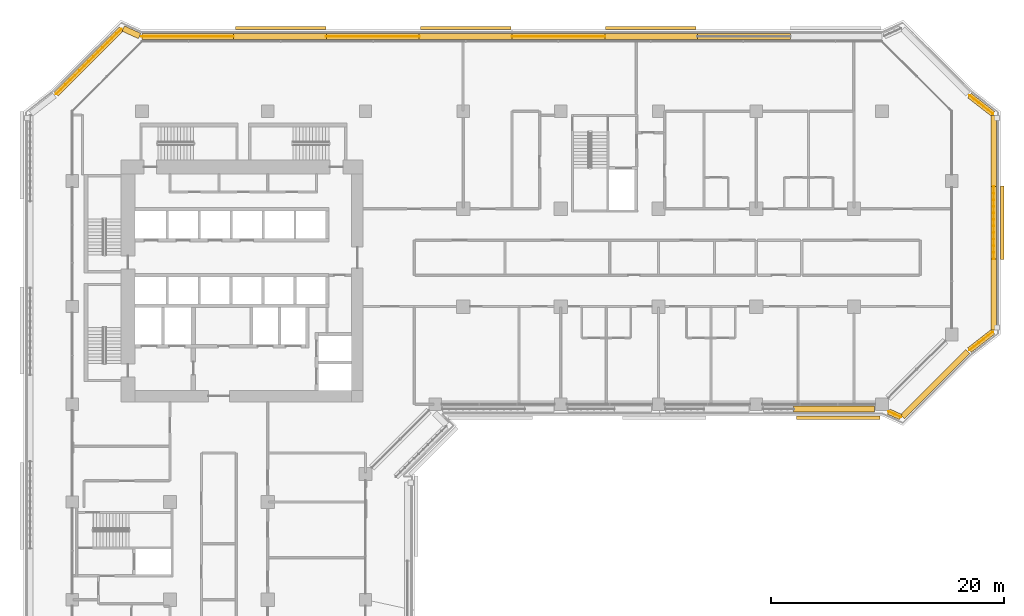
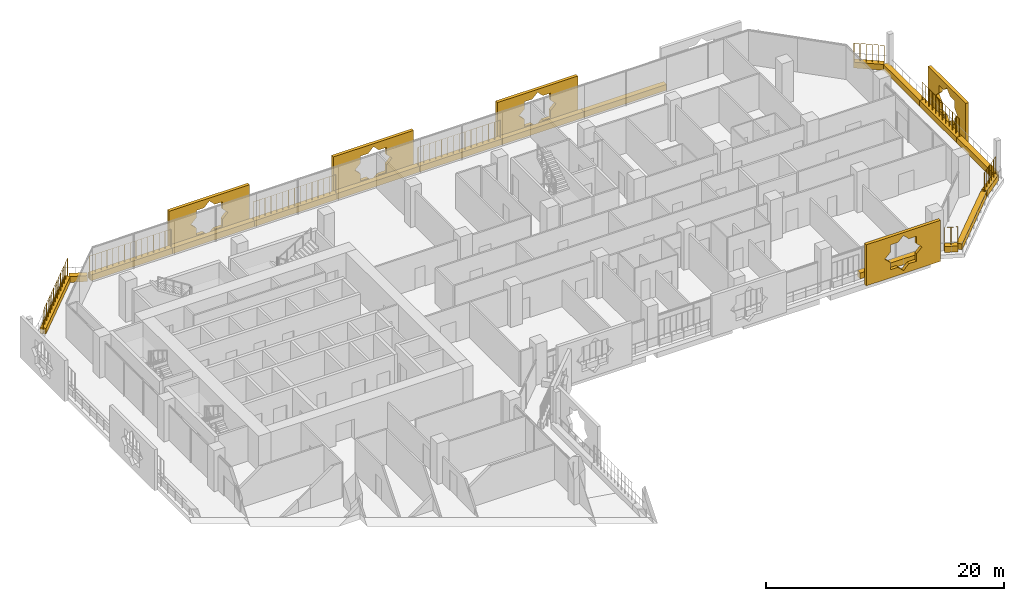
# One storey, part 24 of 25: 22 coverings, 8 railings.
"""IFC4 building model written with IfcOpenShell, lengths in metres."""

import ifcopenshell
import ifcopenshell.guid

model = None  # the IFC model being written
_history = None  # IfcOwnerHistory: only IFC2X3 demands one
_inside = {}  # id of a spatial element -> (the spatial element, [elements in it])
_under = {}  # id of a project, library or spatial element -> (it, [spatial elements below it])
_declared = {}  # id of a project -> (the project, [libraries it declares])
_typed = {}  # id of a type object -> (the type object, [elements of that type])
_made_of = {}  # id of a material, layer set ... -> (it, [elements and type objects made of it])


def new_model(schema):
    """Start an empty IFC model of exactly this schema.

    Asked for "IFC4X3", IfcOpenShell would pick the latest addendum, in which some entities
    have other attributes; the version numbers below select the first issue.
    IFC2X3 requires an IfcOwnerHistory on every rooted entity: one is made here for all.
    """
    global model, _history
    if schema == "IFC4X3":
        model = ifcopenshell.file(schema_version=(4, 3, 0, 0))
    else:
        model = ifcopenshell.file(schema=schema)
    _inside.clear()
    _under.clear()
    _declared.clear()
    _typed.clear()
    _made_of.clear()
    _history = None
    if model.schema == "IFC2X3":
        org = make("IfcOrganization", Name="unknown")
        user = make(
            "IfcPersonAndOrganization",
            ThePerson=make("IfcPerson", FamilyName="unknown"),
            TheOrganization=org,
        )
        app = make(
            "IfcApplication",
            ApplicationDeveloper=org,
            Version="unknown",
            ApplicationFullName="unknown",
            ApplicationIdentifier="unknown",
        )
        _history = make(
            "IfcOwnerHistory",
            OwningUser=user,
            OwningApplication=app,
            ChangeAction="ADDED",
            CreationDate=0,
        )
    return model


def make(cls, **values):
    """One entity of the class cls with the attributes given. An attribute that is None is left unset."""
    return model.create_entity(
        cls, **{name: value for name, value in values.items() if value is not None}
    )


def rooted(cls, **values):
    """An entity with a GlobalId (a new one), such as an element, a storey or a relation."""
    return make(cls, GlobalId=ifcopenshell.guid.new(), OwnerHistory=_history, **values)


def si_unit(unit_type, name, prefix=None):
    """IfcSIUnit, for example si_unit("LENGTHUNIT", "METRE", prefix="MILLI")."""
    return make("IfcSIUnit", UnitType=unit_type, Prefix=prefix, Name=name)


def assignment(units):
    """IfcUnitAssignment: the units of a project."""
    return None if units is None else make("IfcUnitAssignment", Units=units)


def point(xyz):
    """IfcCartesianPoint."""
    return None if xyz is None else make("IfcCartesianPoint", Coordinates=xyz)


def direction(xyz):
    """IfcDirection."""
    return None if xyz is None else make("IfcDirection", DirectionRatios=xyz)


def frame(location, z_axis=None, x_axis=None):
    """IfcAxis2Placement3D, a coordinate frame: its origin and axes. An axis left out is left unset."""
    return make(
        "IfcAxis2Placement3D",
        Location=point(location),
        Axis=direction(z_axis),
        RefDirection=direction(x_axis),
    )


def frame_2d(location, x_axis=None):
    """IfcAxis2Placement2D, a coordinate frame in the plane: its origin and x axis."""
    return make(
        "IfcAxis2Placement2D", Location=point(location), RefDirection=direction(x_axis)
    )


def origin():
    """The frame at (0, 0, 0) with its axes left unset."""
    return frame((0.0, 0.0, 0.0))


def origin_2d():
    """The frame at (0, 0) in the plane with its x axis left unset."""
    return frame_2d((0.0, 0.0))


def place(relative_to, where):
    """IfcLocalPlacement: puts the frame where relative to a parent placement (None: the world)."""
    return make(
        "IfcLocalPlacement", PlacementRelTo=relative_to, RelativePlacement=where
    )


def context(
    kind, dimensions, precision=None, world=None, true_north=None, identifier=None
):
    """IfcGeometricRepresentationContext, for example the 3D "Model" context."""
    return make(
        "IfcGeometricRepresentationContext",
        ContextIdentifier=identifier,
        ContextType=kind,
        CoordinateSpaceDimension=dimensions,
        Precision=precision,
        WorldCoordinateSystem=world,
        TrueNorth=true_north,
    )


def subcontext(parent, identifier, kind, view, scale=None):
    """IfcGeometricRepresentationSubContext, for example "Body" below "Model"."""
    return make(
        "IfcGeometricRepresentationSubContext",
        ContextIdentifier=identifier,
        ContextType=kind,
        ParentContext=parent,
        TargetScale=scale,
        TargetView=view,
    )


def project(units=None, contexts=None):
    """IfcProject with its units and contexts."""
    return rooted(
        "IfcProject",
        Name="project",
        RepresentationContexts=contexts,
        UnitsInContext=assignment(units),
    )


def spatial(cls, under=None, at=None, **own):
    """A site, building, storey or space (cls), placed at a placement, below another one or the project."""
    s = rooted(cls, ObjectPlacement=at, **own)
    if under is not None:
        _under.setdefault(under.id(), (under, []))[1].append(s)
    return s


def polyline(points):
    """IfcPolyline through the points."""
    return make("IfcPolyline", Points=[point(p) for p in points])


def profile(cls, at=None, kind="AREA", **sizes):
    """A parametric profile (cls). Its sizes go by their IFC names, for example OverallWidth=200.0."""
    return make(cls, ProfileType=kind, Position=at, **sizes)


def rectangle(**sizes):
    """IfcRectangleProfileDef."""
    return profile("IfcRectangleProfileDef", **sizes)


def circle(**sizes):
    """IfcCircleProfileDef."""
    return profile("IfcCircleProfileDef", **sizes)


def outline(outer, holes=None, kind="AREA"):
    """IfcArbitraryClosedProfileDef: a profile drawn as a closed curve; with holes, ...WithVoids."""
    if holes is None:
        return make("IfcArbitraryClosedProfileDef", ProfileType=kind, OuterCurve=outer)
    return make(
        "IfcArbitraryProfileDefWithVoids",
        ProfileType=kind,
        OuterCurve=outer,
        InnerCurves=holes,
    )


def extrude(swept, where, along, depth):
    """IfcExtrudedAreaSolid: the profile swept, set in the frame where, extruded along a direction by depth."""
    return make(
        "IfcExtrudedAreaSolid",
        SweptArea=swept,
        Position=where,
        ExtrudedDirection=direction(along),
        Depth=depth,
    )


def shape(context_of_items, identifier, shape_type, items):
    """IfcShapeRepresentation: the items that make up one representation, for example the "Body"."""
    return make(
        "IfcShapeRepresentation",
        ContextOfItems=context_of_items,
        RepresentationIdentifier=identifier,
        RepresentationType=shape_type,
        Items=items,
    )


def material(Name=None, Category=None):
    """IfcMaterial."""
    return make("IfcMaterial", Name=Name, Category=Category)


def material_profile(
    of_material, cross_section, Name=None, Category=None, Priority=None
):
    """IfcMaterialProfile: a cross section and its material."""
    return make(
        "IfcMaterialProfile",
        Name=Name,
        Material=of_material,
        Profile=cross_section,
        Priority=Priority,
        Category=Category,
    )


def profile_set(profiles, Name=None, composite=None):
    """IfcMaterialProfileSet."""
    return make(
        "IfcMaterialProfileSet",
        Name=Name,
        MaterialProfiles=profiles,
        CompositeProfile=composite,
    )


def made_of(thing, what):
    """Note that an element or type object is made of a material, layer set ...; save() writes the relation."""
    if what is not None:
        _made_of.setdefault(what.id(), (what, []))[1].append(thing)
    return thing


def type_object(cls, material=None, **own):
    """A type object (cls), such as IfcWallType, which elements share."""
    return made_of(rooted(cls, **own), material)


def element(
    cls,
    number,
    at=None,
    inside=None,
    cuts=None,
    type_object=None,
    material=None,
    context=None,
    identifier="Body",
    shape_type=None,
    held_by="IfcProductDefinitionShape",
    body=None,
    shapes=None,
    **own,
):
    """One element of the class cls, such as IfcWall. Its Tag is "e" and its number.

    at: its placement. inside: the storey or other place that contains it. cuts: it is an
    opening in that element (IfcRelVoidsElement). A single representation is given by context,
    identifier, shape_type and body (its items); several are given by shapes. held_by: the class
    of the entity that holds the representations. save() writes the other relations.
    """
    e = rooted(cls, Tag="e%d" % number, ObjectPlacement=at, **own)
    if body is not None:
        shapes = [shape(context, identifier, shape_type, body)]
    if shapes is not None:
        e.Representation = make(held_by, Representations=shapes)
    if inside is not None:
        _inside.setdefault(inside.id(), (inside, []))[1].append(e)
    if cuts is not None:
        rooted(
            "IfcRelVoidsElement", RelatingBuildingElement=cuts, RelatedOpeningElement=e
        )
    if type_object is not None:
        _typed.setdefault(type_object.id(), (type_object, []))[1].append(e)
    return made_of(e, material)


def aggregate(whole, parts):
    """IfcRelAggregates: a whole, such as a stair, and the parts it consists of."""
    return rooted("IfcRelAggregates", RelatingObject=whole, RelatedObjects=parts)


def save(model, path):
    """Write the relations noted so far, then the file.

    IfcRelAggregates (storeys below a building ...), IfcRelContainedInSpatialStructure (elements
    in a storey), IfcRelDefinesByType, IfcRelAssociatesMaterial and IfcRelDeclares: one each for
    every whole, place, type object, material and project.
    """
    for whole, parts in _under.values():
        aggregate(whole, parts)
    for where, things in _inside.values():
        rooted(
            "IfcRelContainedInSpatialStructure",
            RelatedElements=things,
            RelatingStructure=where,
        )
    for kind, things in _typed.values():
        rooted("IfcRelDefinesByType", RelatedObjects=things, RelatingType=kind)
    for what, things in _made_of.values():
        rooted("IfcRelAssociatesMaterial", RelatedObjects=things, RelatingMaterial=what)
    for by, libraries in _declared.values():
        rooted("IfcRelDeclares", RelatingContext=by, RelatedDefinitions=libraries)
    model.write(path)


model = new_model("IFC4")

# Units and contexts
model_context = context("Model", 3, precision=1e-05, world=origin(), true_north=direction((0.0, 1.0)))
body_context = subcontext(model_context, "Body", "Model", "MODEL_VIEW")
ifc_project = project(units=[si_unit("LENGTHUNIT", "METRE"), si_unit("AREAUNIT", "SQUARE_METRE"), si_unit("VOLUMEUNIT", "CUBIC_METRE"), si_unit("PLANEANGLEUNIT", "RADIAN"), si_unit("MASSUNIT", "GRAM", prefix="KILO")], contexts=[model_context])

# Site, building, storey
site_placement = place(None, origin())
site = spatial("IfcSite", under=ifc_project, at=site_placement, CompositionType="ELEMENT")
building_placement = place(site_placement, origin())
building = spatial("IfcBuilding", under=site, at=building_placement, Name="Kawkab Arch Medical Tower", CompositionType="ELEMENT")
storey_placement = place(building_placement, frame((0.0, 0.0, 145.0)))
storey = spatial("IfcBuildingStorey", under=building, at=storey_placement, Name="L33", CompositionType="ELEMENT", Elevation=145.0)

# Coverings
ifc_material_1 = material(Name="Bronze anodised aluminium mashrabiya panel, eight-point star pattern", Category="aluminium")
ifc_material_profile_1 = material_profile(ifc_material_1, outline(polyline([(-3.14990234375, -2.10009765625), (3.14990234375, -2.10009765625), (3.14990234375, 2.10009765625), (-3.14990234375, 2.10009765625), (-3.14990234375, -2.10009765625)]), holes=[polyline([(1.800048828125, 0.0), (1.272705078125, 0.527099609375), (1.272705078125, 1.272705078125), (0.527099609375, 1.272705078125), (0.0, 1.800048828125), (-0.527099609375, 1.272705078125), (-1.272705078125, 1.272705078125), (-1.272705078125, 0.527099609375), (-1.800048828125, 0.0), (-1.272705078125, -0.527099609375), (-1.272705078125, -1.272705078125), (-0.527099609375, -1.272705078125), (0.0, -1.800048828125), (0.527099609375, -1.272705078125), (1.272705078125, -1.272705078125), (1.272705078125, -0.527099609375), (1.800048828125, 0.0)])]), Name="Mashrabiya panel 6300x4200")
ifc_profile_set_1 = profile_set([ifc_material_profile_1], Name="Bronze anodised aluminium mashrabiya panel, eight-point star pattern")
covering_type_1 = type_object("IfcCoveringType", Name="Mashrabiya panel 6300 x 4200", PredefinedType="USERDEFINED", material=ifc_profile_set_1)
covering_1_placement = place(storey_placement, frame((79.800048828125, -9.60009765625, 1.699951171875), z_axis=(1.0, 0.0, 0.0), x_axis=(0.0, 1.0, 0.0)))
element("IfcCovering", 1, at=covering_1_placement, inside=storey, type_object=covering_type_1, Name="Mashrabiya panel L33.LOG-01-01.10", ObjectType="SCREEN", PredefinedType="USERDEFINED", context=body_context, shape_type="SweptSolid", body=[
    extrude(outline(polyline([(-3.14990234375, -2.10009765625), (3.14990234375, -2.10009765625), (3.14990234375, 2.10009765625), (-3.14990234375, 2.10009765625), (-3.14990234375, -2.10009765625)]), holes=[polyline([(1.800048828125, 0.0), (1.272705078125, 0.527099609375), (1.272705078125, 1.272705078125), (0.527099609375, 1.272705078125), (0.0, 1.800048828125), (-0.527099609375, 1.272705078125), (-1.272705078125, 1.272705078125), (-1.272705078125, 0.527099609375), (-1.800048828125, 0.0), (-1.272705078125, -0.527099609375), (-1.272705078125, -1.272705078125), (-0.527099609375, -1.272705078125), (0.0, -1.800048828125), (0.527099609375, -1.272705078125), (1.272705078125, -1.272705078125), (1.272705078125, -0.527099609375), (1.800048828125, 0.0)])]), origin(), (0.0, 0.0, 1.0), 0.300048828125),
])
ifc_material_2 = material(Name="Bronze anodised aluminium mashrabiya panel, eight-point star pattern", Category="aluminium")
ifc_material_profile_2 = material_profile(ifc_material_2, outline(polyline([(-3.60009765625, -2.10009765625), (3.60009765625, -2.10009765625), (3.60009765625, 2.10009765625), (-3.60009765625, 2.10009765625), (-3.60009765625, -2.10009765625)]), holes=[polyline([(1.800048828125, 0.0), (1.272705078125, 0.527099609375), (1.272705078125, 1.272705078125), (0.527099609375, 1.272705078125), (0.0, 1.800048828125), (-0.527099609375, 1.272705078125), (-1.272705078125, 1.272705078125), (-1.272705078125, 0.527099609375), (-1.800048828125, 0.0), (-1.272705078125, -0.527099609375), (-1.272705078125, -1.272705078125), (-0.527099609375, -1.272705078125), (0.0, -1.800048828125), (0.527099609375, -1.272705078125), (1.272705078125, -1.272705078125), (1.272705078125, -0.527099609375), (1.800048828125, 0.0)])]), Name="Mashrabiya panel 7200x4200")
ifc_profile_set_2 = profile_set([ifc_material_profile_2], Name="Bronze anodised aluminium mashrabiya panel, eight-point star pattern")
covering_type_2 = type_object("IfcCoveringType", Name="Mashrabiya panel 7200 x 4200", PredefinedType="USERDEFINED", material=ifc_profile_set_2)
covering_2_placement = place(storey_placement, frame((65.840087890625, -26.199951171875, 1.699951171875), z_axis=(0.0, -1.0, 0.0), x_axis=(1.0, 0.0, 0.0)))
element("IfcCovering", 2, at=covering_2_placement, inside=storey, type_object=covering_type_2, Name="Mashrabiya panel L33.LOG-01-01.11", ObjectType="SCREEN", PredefinedType="USERDEFINED", context=body_context, shape_type="SweptSolid", body=[
    extrude(outline(polyline([(-3.60009765625, -2.10009765625), (3.60009765625, -2.10009765625), (3.60009765625, 2.10009765625), (-3.60009765625, 2.10009765625), (-3.60009765625, -2.10009765625)]), holes=[polyline([(1.800048828125, 0.0), (1.272705078125, 0.527099609375), (1.272705078125, 1.272705078125), (0.527099609375, 1.272705078125), (0.0, 1.800048828125), (-0.527099609375, 1.272705078125), (-1.272705078125, 1.272705078125), (-1.272705078125, 0.527099609375), (-1.800048828125, 0.0), (-1.272705078125, -0.527099609375), (-1.272705078125, -1.272705078125), (-0.527099609375, -1.272705078125), (0.0, -1.800048828125), (0.527099609375, -1.272705078125), (1.272705078125, -1.272705078125), (1.272705078125, -0.527099609375), (1.800048828125, 0.0)])]), origin(), (0.0, 0.0, 1.0), 0.300048828125),
])
ifc_material_3 = material(Name="Bronze anodised aluminium mashrabiya panel, eight-point star pattern", Category="aluminium")
ifc_material_profile_3 = material_profile(ifc_material_3, outline(polyline([(-3.89990234375, -2.10009765625), (3.89990234375, -2.10009765625), (3.89990234375, 2.10009765625), (-3.89990234375, 2.10009765625), (-3.89990234375, -2.10009765625)]), holes=[polyline([(1.800048828125, 0.0), (1.272705078125, 0.527099609375), (1.272705078125, 1.272705078125), (0.527099609375, 1.272705078125), (0.0, 1.800048828125), (-0.527099609375, 1.272705078125), (-1.272705078125, 1.272705078125), (-1.272705078125, 0.527099609375), (-1.800048828125, 0.0), (-1.272705078125, -0.527099609375), (-1.272705078125, -1.272705078125), (-0.527099609375, -1.272705078125), (0.0, -1.800048828125), (0.527099609375, -1.272705078125), (1.272705078125, -1.272705078125), (1.272705078125, -0.527099609375), (1.800048828125, 0.0)])]), Name="Mashrabiya panel 7800x4200")
ifc_profile_set_3 = profile_set([ifc_material_profile_3], Name="Bronze anodised aluminium mashrabiya panel, eight-point star pattern")
covering_type_3 = type_object("IfcCoveringType", Name="Mashrabiya panel 7800 x 4200", PredefinedType="USERDEFINED", material=ifc_profile_set_3)
for number, where, z_axis, x_axis, name in (
    (3, (17.923583984375, 7.0, 1.699951171875), (0.0, 1.0, 0.0), (-1.0, 0.0, 0.0), "Mashrabiya panel L33.LOG-01-01.6"),
    (4, (33.82470703125, 7.0, 1.699951171875), (0.0, 1.0, 0.0), (-1.0, 0.0, 0.0), "Mashrabiya panel L33.LOG-01-01.7"),
    (5, (49.725830078125, 7.0, 1.699951171875), (0.0, 1.0, 0.0), (-1.0, 0.0, 0.0), "Mashrabiya panel L33.LOG-01-01.8"),
):
    element("IfcCovering", number, at=place(storey_placement, frame(where, z_axis=z_axis, x_axis=x_axis)), inside=storey, type_object=covering_type_3, Name=name, ObjectType="SCREEN", PredefinedType="USERDEFINED", context=body_context, shape_type="SweptSolid", body=[
        extrude(outline(polyline([(-3.89990234375, -2.10009765625), (3.89990234375, -2.10009765625), (3.89990234375, 2.10009765625), (-3.89990234375, 2.10009765625), (-3.89990234375, -2.10009765625)]), holes=[polyline([(1.800048828125, 0.0), (1.272705078125, 0.527099609375), (1.272705078125, 1.272705078125), (0.527099609375, 1.272705078125), (0.0, 1.800048828125), (-0.527099609375, 1.272705078125), (-1.272705078125, 1.272705078125), (-1.272705078125, 0.527099609375), (-1.800048828125, 0.0), (-1.272705078125, -0.527099609375), (-1.272705078125, -1.272705078125), (-0.527099609375, -1.272705078125), (0.0, -1.800048828125), (0.527099609375, -1.272705078125), (1.272705078125, -1.272705078125), (1.272705078125, -0.527099609375), (1.800048828125, 0.0)])]), origin(), (0.0, 0.0, 1.0), 0.300048828125),
    ])
ifc_material_4 = material(Name="Planting soil in a precast trough", Category="concrete")
ifc_material_profile_4 = material_profile(ifc_material_4, rectangle(XDim=0.5, YDim=0.60009765625, at=origin_2d()), Name="Trough 500x600")
ifc_profile_set_4 = profile_set([ifc_material_profile_4], Name="Planting soil in a precast trough")
covering_type_4 = type_object("IfcCoveringType", Name="Planter trough 500 x 600", PredefinedType="USERDEFINED", material=ifc_profile_set_4)
covering_3_placement = place(storey_placement, frame((-1.383056640625, 1.472900390625, 0.300048828125), z_axis=(0.707106781187, 0.707106781187, 0.0), x_axis=(-0.707106781187, 0.707106781187, 0.0)))
element("IfcCovering", 6, at=covering_3_placement, inside=storey, type_object=covering_type_4, Name="Planter L33.LOG-01-01.15", ObjectType="PLANTER", PredefinedType="USERDEFINED", context=body_context, shape_type="SweptSolid", body=[
    extrude(rectangle(XDim=0.5, YDim=0.60009765625, at=origin_2d()), origin(), (0.0, 0.0, 1.0), 7.919677734375),
])
covering_4_placement = place(storey_placement, frame((4.37890625, 7.10205078125, 0.300048828125), z_axis=(0.909655525109, -0.415363486165, 0.0), x_axis=(0.415363486165, 0.909655525109, 0.0)))
element("IfcCovering", 7, at=covering_4_placement, inside=storey, type_object=covering_type_4, Name="Planter L33.LOG-01-01.16", ObjectType="PLANTER", PredefinedType="USERDEFINED", context=body_context, shape_type="SweptSolid", body=[
    extrude(rectangle(XDim=0.5, YDim=0.60009765625, at=origin_2d()), origin(), (0.0, 0.0, 1.0), 1.54345703125),
])
covering_5_placement = place(storey_placement, frame((5.97412109375, 6.419921875, 0.300048828125), z_axis=(1.0, 0.0, 0.0), x_axis=(0.0, 1.0, 0.0)))
element("IfcCovering", 8, at=covering_5_placement, inside=storey, type_object=covering_type_4, Name="Planter L33.LOG-01-01.17", ObjectType="PLANTER", PredefinedType="USERDEFINED", context=body_context, shape_type="SweptSolid", body=[
    extrude(rectangle(XDim=0.5, YDim=0.60009765625, at=origin_2d()), origin(), (0.0, 0.0, 1.0), 7.8818359375),
])
covering_6_placement = place(storey_placement, frame((13.85595703125, 6.419921875, 0.300048828125), z_axis=(1.0, 0.0, 0.0), x_axis=(0.0, 1.0, 0.0)))
element("IfcCovering", 9, at=covering_6_placement, inside=storey, type_object=covering_type_4, Name="Planter L33.LOG-01-01.18", ObjectType="PLANTER", PredefinedType="USERDEFINED", context=body_context, shape_type="SweptSolid", body=[
    extrude(rectangle(XDim=0.5, YDim=0.60009765625, at=origin_2d()), origin(), (0.0, 0.0, 1.0), 7.98095703125),
])
covering_7_placement = place(storey_placement, frame((21.8369140625, 6.419921875, 0.300048828125), z_axis=(1.0, 0.0, 0.0), x_axis=(0.0, 1.0, 0.0)))
element("IfcCovering", 10, at=covering_7_placement, inside=storey, type_object=covering_type_4, Name="Planter L33.LOG-01-01.19", ObjectType="PLANTER", PredefinedType="USERDEFINED", context=body_context, shape_type="SweptSolid", body=[
    extrude(rectangle(XDim=0.5, YDim=0.60009765625, at=origin_2d()), origin(), (0.0, 0.0, 1.0), 7.982177734375),
])
for number, where, z_axis, x_axis, name in (
    (11, (29.819091796875, 6.419921875, 0.300048828125), (1.0, 0.0, 0.0), (0.0, 1.0, 0.0), "Planter L33.LOG-01-01.20"),
    (12, (37.800048828125, 6.419921875, 0.300048828125), (1.0, 0.0, 0.0), (0.0, 1.0, 0.0), "Planter L33.LOG-01-01.21"),
):
    element("IfcCovering", number, at=place(storey_placement, frame(where, z_axis=z_axis, x_axis=x_axis)), inside=storey, type_object=covering_type_4, Name=name, ObjectType="PLANTER", PredefinedType="USERDEFINED", context=body_context, shape_type="SweptSolid", body=[
        extrude(rectangle(XDim=0.5, YDim=0.60009765625, at=origin_2d()), origin(), (0.0, 0.0, 1.0), 7.98095703125),
    ])
covering_8_placement = place(storey_placement, frame((45.781005859375, 6.419921875, 0.300048828125), z_axis=(1.0, 0.0, 0.0), x_axis=(0.0, 1.0, 0.0)))
element("IfcCovering", 13, at=covering_8_placement, inside=storey, type_object=covering_type_4, Name="Planter L33.LOG-01-01.22", ObjectType="PLANTER", PredefinedType="USERDEFINED", context=body_context, shape_type="SweptSolid", body=[
    extrude(rectangle(XDim=0.5, YDim=0.60009765625, at=origin_2d()), origin(), (0.0, 0.0, 1.0), 7.98193359375),
])
covering_9_placement = place(storey_placement, frame((53.762939453125, 6.419921875, 0.300048828125), z_axis=(1.0, 0.0, 0.0), x_axis=(0.0, 1.0, 0.0)))
element("IfcCovering", 14, at=covering_9_placement, inside=storey, type_object=covering_type_4, Name="Planter L33.LOG-01-01.23", ObjectType="PLANTER", PredefinedType="USERDEFINED", context=body_context, shape_type="SweptSolid", body=[
    extrude(rectangle(XDim=0.5, YDim=0.60009765625, at=origin_2d()), origin(), (0.0, 0.0, 1.0), 7.98095703125),
])
covering_10_placement = place(storey_placement, frame((77.132080078125, 1.341064453125, 0.300048828125), z_axis=(0.789274742246, -0.61404021143, 0.0), x_axis=(0.61404021143, 0.789274742246, 0.0)))
element("IfcCovering", 15, at=covering_10_placement, inside=storey, type_object=covering_type_4, Name="Planter L33.LOG-01-01.27", ObjectType="PLANTER", PredefinedType="USERDEFINED", context=body_context, shape_type="SweptSolid", body=[
    extrude(rectangle(XDim=0.5, YDim=0.60009765625, at=origin_2d()), origin(), (0.0, 0.0, 1.0), 2.54541015625),
])
covering_11_placement = place(storey_placement, frame((79.219970703125, -0.384033203125, 0.300048828125), z_axis=(0.0, -1.0, 0.0), x_axis=(1.0, 0.0, 0.0)))
element("IfcCovering", 16, at=covering_11_placement, inside=storey, type_object=covering_type_4, Name="Planter L33.LOG-01-01.28", ObjectType="PLANTER", PredefinedType="USERDEFINED", context=body_context, shape_type="SweptSolid", body=[
    extrude(rectangle(XDim=0.5, YDim=0.60009765625, at=origin_2d()), origin(), (0.0, 0.0, 1.0), 6.111083984375),
])
covering_12_placement = place(storey_placement, frame((79.219970703125, -6.4951171875, 0.300048828125), z_axis=(0.0, -1.0, 0.0), x_axis=(1.0, 0.0, 0.0)))
element("IfcCovering", 17, at=covering_12_placement, inside=storey, type_object=covering_type_4, Name="Planter L33.LOG-01-01.29", ObjectType="PLANTER", PredefinedType="USERDEFINED", context=body_context, shape_type="SweptSolid", body=[
    extrude(rectangle(XDim=0.5, YDim=0.60009765625, at=origin_2d()), origin(), (0.0, 0.0, 1.0), 6.2099609375),
])
covering_13_placement = place(storey_placement, frame((79.219970703125, -12.705078125, 0.300048828125), z_axis=(0.0, -1.0, 0.0), x_axis=(1.0, 0.0, 0.0)))
element("IfcCovering", 18, at=covering_13_placement, inside=storey, type_object=covering_type_4, Name="Planter L33.LOG-01-01.30", ObjectType="PLANTER", PredefinedType="USERDEFINED", context=body_context, shape_type="SweptSolid", body=[
    extrude(rectangle(XDim=0.5, YDim=0.60009765625, at=origin_2d()), origin(), (0.0, 0.0, 1.0), 6.11083984375),
])
covering_14_placement = place(storey_placement, frame((79.14111328125, -18.97802734375, 0.300048828125), z_axis=(-0.789274742246, -0.61404021143, 0.0), x_axis=(0.61404021143, -0.789274742246, 0.0)))
element("IfcCovering", 19, at=covering_14_placement, inside=storey, type_object=covering_type_4, Name="Planter L33.LOG-01-01.31", ObjectType="PLANTER", PredefinedType="USERDEFINED", context=body_context, shape_type="SweptSolid", body=[
    extrude(rectangle(XDim=0.5, YDim=0.60009765625, at=origin_2d()), origin(), (0.0, 0.0, 1.0), 2.54541015625),
])
covering_15_placement = place(storey_placement, frame((76.98291015625, -20.673095703125, 0.300048828125), z_axis=(-0.707106781187, -0.707106781187, 0.0), x_axis=(0.707106781187, -0.707106781187, 0.0)))
element("IfcCovering", 20, at=covering_15_placement, inside=storey, type_object=covering_type_4, Name="Planter L33.LOG-01-01.32", ObjectType="PLANTER", PredefinedType="USERDEFINED", context=body_context, shape_type="SweptSolid", body=[
    extrude(rectangle(XDim=0.5, YDim=0.60009765625, at=origin_2d()), origin(), (0.0, 0.0, 1.0), 7.91943359375),
])
covering_16_placement = place(storey_placement, frame((71.220947265625, -26.302001953125, 0.300048828125), z_axis=(-0.90986596287, 0.414902313335, 0.0), x_axis=(-0.414902313335, -0.90986596287, 0.0)))
element("IfcCovering", 21, at=covering_16_placement, inside=storey, type_object=covering_type_4, Name="Planter L33.LOG-01-01.33", ObjectType="PLANTER", PredefinedType="USERDEFINED", context=body_context, shape_type="SweptSolid", body=[
    extrude(rectangle(XDim=0.5, YDim=0.60009765625, at=origin_2d()), origin(), (0.0, 0.0, 1.0), 1.137451171875),
])
covering_17_placement = place(storey_placement, frame((68.969970703125, -25.6201171875, 0.300048828125), z_axis=(-1.0, 0.0, 0.0), x_axis=(0.0, -1.0, 0.0)))
element("IfcCovering", 22, at=covering_17_placement, inside=storey, type_object=covering_type_4, Name="Planter L33.LOG-01-01.34", ObjectType="PLANTER", PredefinedType="USERDEFINED", context=body_context, shape_type="SweptSolid", body=[
    extrude(rectangle(XDim=0.5, YDim=0.60009765625, at=origin_2d()), origin(), (0.0, 0.0, 1.0), 6.951904296875),
])

# Railings
ifc_material_5 = material(Name="Bronze anodised aluminium trellis for climbing plants", Category="aluminium")
railing_type = type_object("IfcRailingType", Name="Planting trellis 2400", PredefinedType="USERDEFINED", material=ifc_material_5)
railing_1_placement = place(storey_placement, frame((-1.383056640625, 1.472900390625, 0.0)))
element("IfcRailing", 23, at=railing_1_placement, inside=storey, type_object=railing_type, Name="Planting trellis L33.LOG-01-01.15", ObjectType="TRELLIS", PredefinedType="USERDEFINED", context=body_context, shape_type="SweptSolid", body=[
    extrude(circle(Radius=0.01513671875, at=origin_2d()), frame((0.0, 0.0, 2.384765625), z_axis=(0.707106781187, 0.707106781187, 0.0), x_axis=(-0.707106781187, 0.707106781187, 0.0)), (0.0, 0.0, 1.0), 7.919677734375),
    extrude(circle(Radius=0.030029296875, at=origin_2d()), origin(), (0.0, 0.0, 1.0), 2.369873046875),
    extrude(circle(Radius=0.030029296875, at=origin_2d()), frame((0.39990234375, 0.39990234375, 0.0)), (0.0, 0.0, 1.0), 2.369873046875),
    extrude(circle(Radius=0.030029296875, at=origin_2d()), frame((0.800048828125, 0.800048828125, 0.0)), (0.0, 0.0, 1.0), 2.369873046875),
    extrude(circle(Radius=0.030029296875, at=origin_2d()), frame((1.199951171875, 1.199951171875, 0.0)), (0.0, 0.0, 1.0), 2.369873046875),
    extrude(circle(Radius=0.030029296875, at=origin_2d()), frame((1.60009765625, 1.60009765625, 0.0)), (0.0, 0.0, 1.0), 2.369873046875),
    extrude(circle(Radius=0.030029296875, at=origin_2d()), frame((2.0, 2.0, 0.0)), (0.0, 0.0, 1.0), 2.369873046875),
    extrude(circle(Radius=0.030029296875, at=origin_2d()), frame((2.400146484375, 2.400146484375, 0.0)), (0.0, 0.0, 1.0), 2.369873046875),
    extrude(circle(Radius=0.030029296875, at=origin_2d()), frame((2.800048828125, 2.800048828125, 0.0)), (0.0, 0.0, 1.0), 2.369873046875),
    extrude(circle(Radius=0.030029296875, at=origin_2d()), frame((3.199951171875, 3.199951171875, 0.0)), (0.0, 0.0, 1.0), 2.369873046875),
    extrude(circle(Radius=0.030029296875, at=origin_2d()), frame((3.60009765625, 3.60009765625, 0.0)), (0.0, 0.0, 1.0), 2.369873046875),
    extrude(circle(Radius=0.030029296875, at=origin_2d()), frame((4.0, 4.0, 0.0)), (0.0, 0.0, 1.0), 2.369873046875),
    extrude(circle(Radius=0.030029296875, at=origin_2d()), frame((4.400146484375, 4.400146484375, 0.0)), (0.0, 0.0, 1.0), 2.369873046875),
    extrude(circle(Radius=0.030029296875, at=origin_2d()), frame((4.800048828125, 4.800048828125, 0.0)), (0.0, 0.0, 1.0), 2.369873046875),
    extrude(circle(Radius=0.030029296875, at=origin_2d()), frame((5.2001953125, 5.2001953125, 0.0)), (0.0, 0.0, 1.0), 2.369873046875),
    extrude(circle(Radius=0.030029296875, at=origin_2d()), frame((5.60009765625, 5.60009765625, 0.0)), (0.0, 0.0, 1.0), 2.369873046875),
])
railing_2_placement = place(storey_placement, frame((5.97412109375, 6.419921875, 0.0)))
element("IfcRailing", 24, at=railing_2_placement, inside=storey, type_object=railing_type, Name="Planting trellis L33.LOG-01-01.17", ObjectType="TRELLIS", PredefinedType="USERDEFINED", context=body_context, shape_type="SweptSolid", body=[
    extrude(circle(Radius=0.01513671875, at=origin_2d()), frame((0.0, 0.0, 2.384765625), z_axis=(1.0, 0.0, 0.0), x_axis=(0.0, 1.0, 0.0)), (0.0, 0.0, 1.0), 7.8818359375),
    extrude(circle(Radius=0.030029296875, at=origin_2d()), origin(), (0.0, 0.0, 1.0), 2.369873046875),
    extrude(circle(Radius=0.030029296875, at=origin_2d()), frame((0.56298828125, 0.0, 0.0)), (0.0, 0.0, 1.0), 2.369873046875),
    extrude(circle(Radius=0.030029296875, at=origin_2d()), frame((1.1259765625, 0.0, 0.0)), (0.0, 0.0, 1.0), 2.369873046875),
    extrude(circle(Radius=0.030029296875, at=origin_2d()), frame((1.68896484375, 0.0, 0.0)), (0.0, 0.0, 1.0), 2.369873046875),
    extrude(circle(Radius=0.030029296875, at=origin_2d()), frame((2.251953125, 0.0, 0.0)), (0.0, 0.0, 1.0), 2.369873046875),
    extrude(circle(Radius=0.030029296875, at=origin_2d()), frame((2.81494140625, 0.0, 0.0)), (0.0, 0.0, 1.0), 2.369873046875),
    extrude(circle(Radius=0.030029296875, at=origin_2d()), frame((3.3779296875, 0.0, 0.0)), (0.0, 0.0, 1.0), 2.369873046875),
    extrude(circle(Radius=0.030029296875, at=origin_2d()), frame((3.94091796875, 0.0, 0.0)), (0.0, 0.0, 1.0), 2.369873046875),
    extrude(circle(Radius=0.030029296875, at=origin_2d()), frame((4.50390625, 0.0, 0.0)), (0.0, 0.0, 1.0), 2.369873046875),
    extrude(circle(Radius=0.030029296875, at=origin_2d()), frame((5.06689453125, 0.0, 0.0)), (0.0, 0.0, 1.0), 2.369873046875),
    extrude(circle(Radius=0.030029296875, at=origin_2d()), frame((5.6298828125, 0.0, 0.0)), (0.0, 0.0, 1.0), 2.369873046875),
    extrude(circle(Radius=0.030029296875, at=origin_2d()), frame((6.19287109375, 0.0, 0.0)), (0.0, 0.0, 1.0), 2.369873046875),
    extrude(circle(Radius=0.030029296875, at=origin_2d()), frame((6.755859375, 0.0, 0.0)), (0.0, 0.0, 1.0), 2.369873046875),
    extrude(circle(Radius=0.030029296875, at=origin_2d()), frame((7.31884765625, 0.0, 0.0)), (0.0, 0.0, 1.0), 2.369873046875),
    extrude(circle(Radius=0.030029296875, at=origin_2d()), frame((7.8818359375, 0.0, 0.0)), (0.0, 0.0, 1.0), 2.369873046875),
])
railing_3_placement = place(storey_placement, frame((21.8369140625, 6.419921875, 0.0)))
element("IfcRailing", 25, at=railing_3_placement, inside=storey, type_object=railing_type, Name="Planting trellis L33.LOG-01-01.19", ObjectType="TRELLIS", PredefinedType="USERDEFINED", context=body_context, shape_type="SweptSolid", body=[
    extrude(circle(Radius=0.01513671875, at=origin_2d()), frame((0.0, 0.0, 2.384765625), z_axis=(1.0, 0.0, 0.0), x_axis=(0.0, 1.0, 0.0)), (0.0, 0.0, 1.0), 7.982177734375),
    extrude(circle(Radius=0.030029296875, at=origin_2d()), origin(), (0.0, 0.0, 1.0), 2.369873046875),
    extrude(circle(Radius=0.030029296875, at=origin_2d()), frame((0.570068359375, 0.0, 0.0)), (0.0, 0.0, 1.0), 2.369873046875),
    extrude(circle(Radius=0.030029296875, at=origin_2d()), frame((1.140380859375, 0.0, 0.0)), (0.0, 0.0, 1.0), 2.369873046875),
    extrude(circle(Radius=0.030029296875, at=origin_2d()), frame((1.71044921875, 0.0, 0.0)), (0.0, 0.0, 1.0), 2.369873046875),
    extrude(circle(Radius=0.030029296875, at=origin_2d()), frame((2.280517578125, 0.0, 0.0)), (0.0, 0.0, 1.0), 2.369873046875),
    extrude(circle(Radius=0.030029296875, at=origin_2d()), frame((2.850830078125, 0.0, 0.0)), (0.0, 0.0, 1.0), 2.369873046875),
    extrude(circle(Radius=0.030029296875, at=origin_2d()), frame((3.4208984375, 0.0, 0.0)), (0.0, 0.0, 1.0), 2.369873046875),
    extrude(circle(Radius=0.030029296875, at=origin_2d()), frame((3.9912109375, 0.0, 0.0)), (0.0, 0.0, 1.0), 2.369873046875),
    extrude(circle(Radius=0.030029296875, at=origin_2d()), frame((4.561279296875, 0.0, 0.0)), (0.0, 0.0, 1.0), 2.369873046875),
    extrude(circle(Radius=0.030029296875, at=origin_2d()), frame((5.13134765625, 0.0, 0.0)), (0.0, 0.0, 1.0), 2.369873046875),
    extrude(circle(Radius=0.030029296875, at=origin_2d()), frame((5.70166015625, 0.0, 0.0)), (0.0, 0.0, 1.0), 2.369873046875),
    extrude(circle(Radius=0.030029296875, at=origin_2d()), frame((6.271728515625, 0.0, 0.0)), (0.0, 0.0, 1.0), 2.369873046875),
    extrude(circle(Radius=0.030029296875, at=origin_2d()), frame((6.841796875, 0.0, 0.0)), (0.0, 0.0, 1.0), 2.369873046875),
    extrude(circle(Radius=0.030029296875, at=origin_2d()), frame((7.412109375, 0.0, 0.0)), (0.0, 0.0, 1.0), 2.369873046875),
    extrude(circle(Radius=0.030029296875, at=origin_2d()), frame((7.982177734375, 0.0, 0.0)), (0.0, 0.0, 1.0), 2.369873046875),
])
railing_4_placement = place(storey_placement, frame((37.800048828125, 6.419921875, 0.0)))
element("IfcRailing", 26, at=railing_4_placement, inside=storey, type_object=railing_type, Name="Planting trellis L33.LOG-01-01.21", ObjectType="TRELLIS", PredefinedType="USERDEFINED", context=body_context, shape_type="SweptSolid", body=[
    extrude(circle(Radius=0.01513671875, at=origin_2d()), frame((0.0, 0.0, 2.384765625), z_axis=(1.0, 0.0, 0.0), x_axis=(0.0, 1.0, 0.0)), (0.0, 0.0, 1.0), 7.98095703125),
    extrude(circle(Radius=0.030029296875, at=origin_2d()), origin(), (0.0, 0.0, 1.0), 2.369873046875),
    extrude(circle(Radius=0.030029296875, at=origin_2d()), frame((0.570068359375, 0.0, 0.0)), (0.0, 0.0, 1.0), 2.369873046875),
    extrude(circle(Radius=0.030029296875, at=origin_2d()), frame((1.14013671875, 0.0, 0.0)), (0.0, 0.0, 1.0), 2.369873046875),
    extrude(circle(Radius=0.030029296875, at=origin_2d()), frame((1.710205078125, 0.0, 0.0)), (0.0, 0.0, 1.0), 2.369873046875),
    extrude(circle(Radius=0.030029296875, at=origin_2d()), frame((2.2802734375, 0.0, 0.0)), (0.0, 0.0, 1.0), 2.369873046875),
    extrude(circle(Radius=0.030029296875, at=origin_2d()), frame((2.850341796875, 0.0, 0.0)), (0.0, 0.0, 1.0), 2.369873046875),
    extrude(circle(Radius=0.030029296875, at=origin_2d()), frame((3.42041015625, 0.0, 0.0)), (0.0, 0.0, 1.0), 2.369873046875),
    extrude(circle(Radius=0.030029296875, at=origin_2d()), frame((3.990478515625, 0.0, 0.0)), (0.0, 0.0, 1.0), 2.369873046875),
    extrude(circle(Radius=0.030029296875, at=origin_2d()), frame((4.560546875, 0.0, 0.0)), (0.0, 0.0, 1.0), 2.369873046875),
    extrude(circle(Radius=0.030029296875, at=origin_2d()), frame((5.130615234375, 0.0, 0.0)), (0.0, 0.0, 1.0), 2.369873046875),
    extrude(circle(Radius=0.030029296875, at=origin_2d()), frame((5.70068359375, 0.0, 0.0)), (0.0, 0.0, 1.0), 2.369873046875),
    extrude(circle(Radius=0.030029296875, at=origin_2d()), frame((6.270751953125, 0.0, 0.0)), (0.0, 0.0, 1.0), 2.369873046875),
    extrude(circle(Radius=0.030029296875, at=origin_2d()), frame((6.8408203125, 0.0, 0.0)), (0.0, 0.0, 1.0), 2.369873046875),
    extrude(circle(Radius=0.030029296875, at=origin_2d()), frame((7.410888671875, 0.0, 0.0)), (0.0, 0.0, 1.0), 2.369873046875),
    extrude(circle(Radius=0.030029296875, at=origin_2d()), frame((7.98095703125, 0.0, 0.0)), (0.0, 0.0, 1.0), 2.369873046875),
])
railing_5_placement = place(storey_placement, frame((77.132080078125, 1.341064453125, 0.0)))
element("IfcRailing", 27, at=railing_5_placement, inside=storey, type_object=railing_type, Name="Planting trellis L33.LOG-01-01.27", ObjectType="TRELLIS", PredefinedType="USERDEFINED", context=body_context, shape_type="SweptSolid", body=[
    extrude(circle(Radius=0.01513671875, at=origin_2d()), frame((0.0, 0.0, 2.384765625), z_axis=(0.789274742246, -0.61404021143, 0.0), x_axis=(0.61404021143, 0.789274742246, 0.0)), (0.0, 0.0, 1.0), 2.54541015625),
    extrude(circle(Radius=0.030029296875, at=origin_2d()), origin(), (0.0, 0.0, 1.0), 2.369873046875),
    extrude(circle(Radius=0.030029296875, at=origin_2d()), frame((0.40185546875, -0.3125, 0.0)), (0.0, 0.0, 1.0), 2.369873046875),
    extrude(circle(Radius=0.030029296875, at=origin_2d()), frame((0.8037109375, -0.625244140625, 0.0)), (0.0, 0.0, 1.0), 2.369873046875),
    extrude(circle(Radius=0.030029296875, at=origin_2d()), frame((1.205322265625, -0.937744140625, 0.0)), (0.0, 0.0, 1.0), 2.369873046875),
    extrude(circle(Radius=0.030029296875, at=origin_2d()), frame((1.607177734375, -1.25048828125, 0.0)), (0.0, 0.0, 1.0), 2.369873046875),
    extrude(circle(Radius=0.030029296875, at=origin_2d()), frame((2.009033203125, -1.56298828125, 0.0)), (0.0, 0.0, 1.0), 2.369873046875),
])
railing_6_placement = place(storey_placement, frame((79.219970703125, -6.4951171875, 0.0)))
element("IfcRailing", 28, at=railing_6_placement, inside=storey, type_object=railing_type, Name="Planting trellis L33.LOG-01-01.29", ObjectType="TRELLIS", PredefinedType="USERDEFINED", context=body_context, shape_type="SweptSolid", body=[
    extrude(circle(Radius=0.01513671875, at=origin_2d()), frame((0.0, 0.0, 2.384765625), z_axis=(0.0, -1.0, 0.0), x_axis=(1.0, 0.0, 0.0)), (0.0, 0.0, 1.0), 6.2099609375),
    extrude(circle(Radius=0.030029296875, at=origin_2d()), origin(), (0.0, 0.0, 1.0), 2.369873046875),
    extrude(circle(Radius=0.030029296875, at=origin_2d()), frame((0.0, -0.564453125, 0.0)), (0.0, 0.0, 1.0), 2.369873046875),
    extrude(circle(Radius=0.030029296875, at=origin_2d()), frame((0.0, -1.129150390625, 0.0)), (0.0, 0.0, 1.0), 2.369873046875),
    extrude(circle(Radius=0.030029296875, at=origin_2d()), frame((0.0, -1.693603515625, 0.0)), (0.0, 0.0, 1.0), 2.369873046875),
    extrude(circle(Radius=0.030029296875, at=origin_2d()), frame((0.0, -2.258056640625, 0.0)), (0.0, 0.0, 1.0), 2.369873046875),
    extrude(circle(Radius=0.030029296875, at=origin_2d()), frame((0.0, -2.82275390625, 0.0)), (0.0, 0.0, 1.0), 2.369873046875),
    extrude(circle(Radius=0.030029296875, at=origin_2d()), frame((0.0, -3.38720703125, 0.0)), (0.0, 0.0, 1.0), 2.369873046875),
    extrude(circle(Radius=0.030029296875, at=origin_2d()), frame((0.0, -3.951904296875, 0.0)), (0.0, 0.0, 1.0), 2.369873046875),
    extrude(circle(Radius=0.030029296875, at=origin_2d()), frame((0.0, -4.516357421875, 0.0)), (0.0, 0.0, 1.0), 2.369873046875),
    extrude(circle(Radius=0.030029296875, at=origin_2d()), frame((0.0, -5.080810546875, 0.0)), (0.0, 0.0, 1.0), 2.369873046875),
    extrude(circle(Radius=0.030029296875, at=origin_2d()), frame((0.0, -5.6455078125, 0.0)), (0.0, 0.0, 1.0), 2.369873046875),
    extrude(circle(Radius=0.030029296875, at=origin_2d()), frame((0.0, -6.2099609375, 0.0)), (0.0, 0.0, 1.0), 2.369873046875),
])
railing_7_placement = place(storey_placement, frame((79.14111328125, -18.97802734375, 0.0)))
element("IfcRailing", 29, at=railing_7_placement, inside=storey, type_object=railing_type, Name="Planting trellis L33.LOG-01-01.31", ObjectType="TRELLIS", PredefinedType="USERDEFINED", context=body_context, shape_type="SweptSolid", body=[
    extrude(circle(Radius=0.01513671875, at=origin_2d()), frame((0.0, 0.0, 2.384765625), z_axis=(-0.789274742246, -0.61404021143, 0.0), x_axis=(0.61404021143, -0.789274742246, 0.0)), (0.0, 0.0, 1.0), 2.54541015625),
    extrude(circle(Radius=0.030029296875, at=origin_2d()), origin(), (0.0, 0.0, 1.0), 2.369873046875),
    extrude(circle(Radius=0.030029296875, at=origin_2d()), frame((-0.40185546875, -0.3125, 0.0)), (0.0, 0.0, 1.0), 2.369873046875),
    extrude(circle(Radius=0.030029296875, at=origin_2d()), frame((-0.8037109375, -0.625244140625, 0.0)), (0.0, 0.0, 1.0), 2.369873046875),
    extrude(circle(Radius=0.030029296875, at=origin_2d()), frame((-1.205322265625, -0.937744140625, 0.0)), (0.0, 0.0, 1.0), 2.369873046875),
    extrude(circle(Radius=0.030029296875, at=origin_2d()), frame((-1.607177734375, -1.25048828125, 0.0)), (0.0, 0.0, 1.0), 2.369873046875),
    extrude(circle(Radius=0.030029296875, at=origin_2d()), frame((-2.009033203125, -1.56298828125, 0.0)), (0.0, 0.0, 1.0), 2.369873046875),
])
railing_8_placement = place(storey_placement, frame((71.220947265625, -26.302001953125, 0.0)))
element("IfcRailing", 30, at=railing_8_placement, inside=storey, type_object=railing_type, Name="Planting trellis L33.LOG-01-01.33", ObjectType="TRELLIS", PredefinedType="USERDEFINED", context=body_context, shape_type="SweptSolid", body=[
    extrude(circle(Radius=0.01513671875, at=origin_2d()), frame((0.0, 0.0, 2.384765625), z_axis=(-0.90986596287, 0.414902313335, 0.0), x_axis=(-0.414902313335, -0.90986596287, 0.0)), (0.0, 0.0, 1.0), 1.137451171875),
    extrude(circle(Radius=0.030029296875, at=origin_2d()), origin(), (0.0, 0.0, 1.0), 2.369873046875),
    extrude(circle(Radius=0.030029296875, at=origin_2d()), frame((-0.517578125, 0.23583984375, 0.0)), (0.0, 0.0, 1.0), 2.369873046875),
    extrude(circle(Radius=0.030029296875, at=origin_2d()), frame((-1.034912109375, 0.471923828125, 0.0)), (0.0, 0.0, 1.0), 2.369873046875),
])

save(model, "model.ifc")
